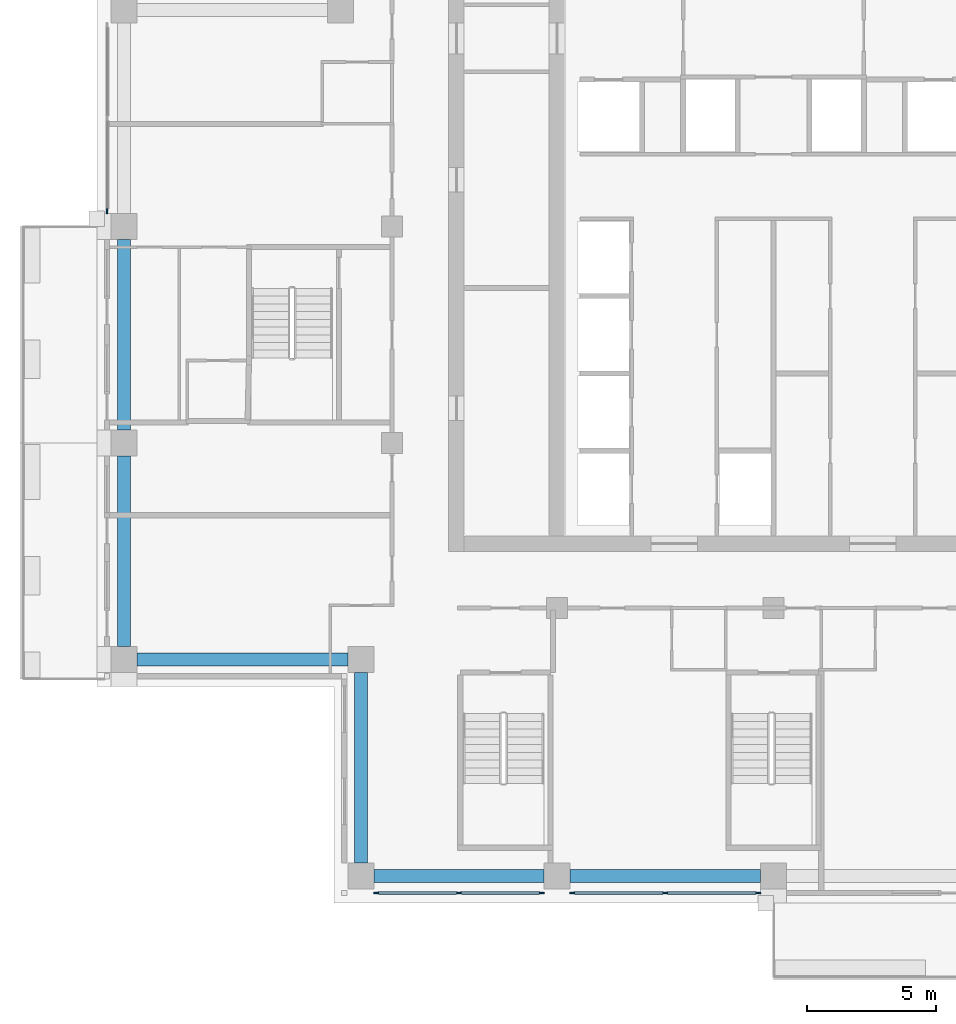
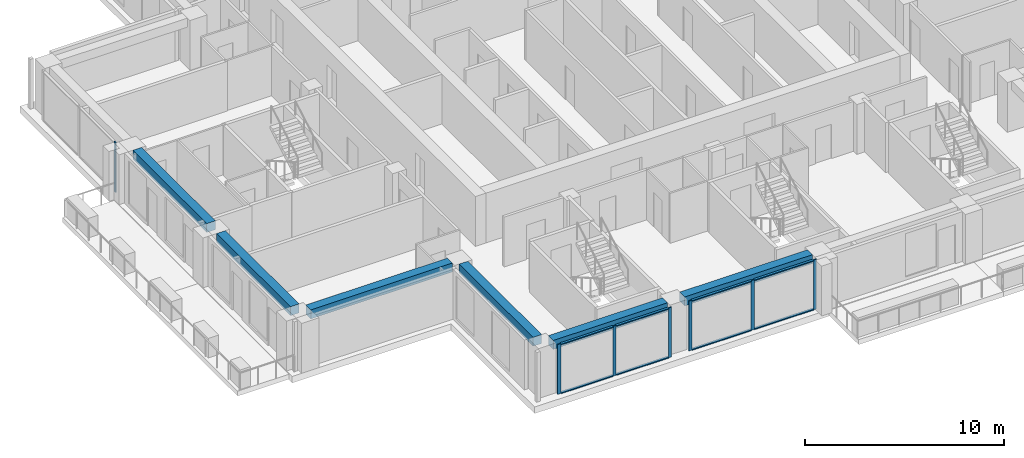
# One storey, part 2 of 17: 15 members, 6 beams, 3 elements without a shape of their own.
"""IFC4 building model written with IfcOpenShell, lengths in metres."""

from ifc_helpers import new_model, si_unit, direction, frame, origin, origin_2d, place, context, subcontext, project, spatial, rectangle, extrude, material, material_profile, profile_set, type_object, element, aggregate, save


model = new_model("IFC4")

# Units and contexts
model_context = context("Model", 3, precision=1e-05, world=origin(), true_north=direction((0.0, 1.0)))
body_context = subcontext(model_context, "Body", "Model", "MODEL_VIEW")
ifc_project = project(units=[si_unit("LENGTHUNIT", "METRE"), si_unit("AREAUNIT", "SQUARE_METRE"), si_unit("VOLUMEUNIT", "CUBIC_METRE"), si_unit("PLANEANGLEUNIT", "RADIAN"), si_unit("MASSUNIT", "GRAM", prefix="KILO")], contexts=[model_context])

# Site, building, storey
site_placement = place(None, origin())
site = spatial("IfcSite", under=ifc_project, at=site_placement, CompositionType="ELEMENT")
building_placement = place(site_placement, origin())
building = spatial("IfcBuilding", under=site, at=building_placement, Name="Vermilion Ogive Tower", CompositionType="ELEMENT")
storey_placement = place(building_placement, frame((0.0, 0.0, 203.14990234375)))
storey = spatial("IfcBuildingStorey", under=building, at=storey_placement, Name="L53", CompositionType="ELEMENT", Elevation=203.14990234375)

# Curtain wall, members
ifc_material_1 = material(Name="Low-iron laminated glazing in aluminium frame", Category="aluminium")
curtain_wall_type = type_object("IfcCurtainWallType", Name="Curtain wall CW7", PredefinedType="NOTDEFINED", material=ifc_material_1)
curtain_wall_1_placement = place(storey_placement, origin())
curtain_wall_1 = element("IfcCurtainWall", 1, at=curtain_wall_1_placement, inside=storey, type_object=curtain_wall_type, Name="Glazed skin S1", PredefinedType="NOTDEFINED")
ifc_material_2 = material(Name="Aluminium mullion", Category="aluminium")
ifc_material_profile_1 = material_profile(ifc_material_2, rectangle(XDim=0.06005859375, YDim=0.179931640625, at=origin_2d()), Name="AL 60x180")
ifc_profile_set_1 = profile_set([ifc_material_profile_1], Name="Aluminium mullion")
member_type_1 = type_object("IfcMemberType", Name="CW7 mullion 60x180", PredefinedType="MULLION", material=ifc_profile_set_1)
member_1_placement = place(storey_placement, frame((-15.409912109375, -21.64990234375, 0.0), z_axis=(0.0, 0.0, 1.0), x_axis=(0.0, 1.0, 0.0)))
member_1 = element("IfcMember", 2, at=member_1_placement, type_object=member_type_1, Name="CW7-S1 mullion 1", PredefinedType="MULLION", context=body_context, shape_type="SweptSolid", body=[
    extrude(rectangle(XDim=0.06005859375, YDim=0.179931640625, at=origin_2d()), origin(), (0.0, 0.0, 1.0), 3.050048828125),
])
member_2_placement = place(storey_placement, frame((-12.199951171875, -21.64990234375, 0.0), z_axis=(0.0, 0.0, 1.0), x_axis=(0.0, 1.0, 0.0)))
member_2 = element("IfcMember", 3, at=member_2_placement, type_object=member_type_1, Name="CW7-S1 mullion 2", PredefinedType="MULLION", context=body_context, shape_type="SweptSolid", body=[
    extrude(rectangle(XDim=0.06005859375, YDim=0.179931640625, at=origin_2d()), origin(), (0.0, 0.0, 1.0), 3.050048828125),
])
member_3_placement = place(storey_placement, frame((-8.989990234375, -21.64990234375, 0.0), z_axis=(0.0, 0.0, 1.0), x_axis=(0.0, 1.0, 0.0)))
member_3 = element("IfcMember", 4, at=member_3_placement, type_object=member_type_1, Name="CW7-S1 mullion 3", PredefinedType="MULLION", context=body_context, shape_type="SweptSolid", body=[
    extrude(rectangle(XDim=0.06005859375, YDim=0.179931640625, at=origin_2d()), origin(), (0.0, 0.0, 1.0), 3.050048828125),
])

curtain_wall_2_placement = place(storey_placement, origin())
curtain_wall_2 = element("IfcCurtainWall", 5, at=curtain_wall_2_placement, inside=storey, type_object=curtain_wall_type, Name="Glazed skin S2", PredefinedType="NOTDEFINED")
member_4_placement = place(storey_placement, frame((-7.81005859375, -21.64990234375, 0.0), z_axis=(0.0, 0.0, 1.0), x_axis=(0.0, 1.0, 0.0)))
member_4 = element("IfcMember", 6, at=member_4_placement, type_object=member_type_1, Name="CW7-S2 mullion 1", PredefinedType="MULLION", context=body_context, shape_type="SweptSolid", body=[
    extrude(rectangle(XDim=0.06005859375, YDim=0.179931640625, at=origin_2d()), origin(), (0.0, 0.0, 1.0), 3.050048828125),
])
member_5_placement = place(storey_placement, frame((-4.199951171875, -21.64990234375, 0.0), z_axis=(0.0, 0.0, 1.0), x_axis=(0.0, 1.0, 0.0)))
member_5 = element("IfcMember", 7, at=member_5_placement, type_object=member_type_1, Name="CW7-S2 mullion 2", PredefinedType="MULLION", context=body_context, shape_type="SweptSolid", body=[
    extrude(rectangle(XDim=0.06005859375, YDim=0.179931640625, at=origin_2d()), origin(), (0.0, 0.0, 1.0), 3.050048828125),
])
member_6_placement = place(storey_placement, frame((-0.590087890625, -21.64990234375, 0.0), z_axis=(0.0, 0.0, 1.0), x_axis=(0.0, 1.0, 0.0)))
member_6 = element("IfcMember", 8, at=member_6_placement, type_object=member_type_1, Name="CW7-S2 mullion 3", PredefinedType="MULLION", context=body_context, shape_type="SweptSolid", body=[
    extrude(rectangle(XDim=0.06005859375, YDim=0.179931640625, at=origin_2d()), origin(), (0.0, 0.0, 1.0), 3.050048828125),
])

# Curtain wall, member
curtain_wall_3_placement = place(storey_placement, origin())
curtain_wall_3 = element("IfcCurtainWall", 9, at=curtain_wall_3_placement, inside=storey, type_object=curtain_wall_type, Name="Glazed skin W1", PredefinedType="NOTDEFINED")
member_7_placement = place(storey_placement, frame((-25.85009765625, 4.7900390625, 0.0), z_axis=(0.0, 0.0, 1.0), x_axis=(1.0, 0.0, 0.0)))
member_7 = element("IfcMember", 10, at=member_7_placement, type_object=member_type_1, Name="CW7-W1 mullion 3", PredefinedType="MULLION", context=body_context, shape_type="SweptSolid", body=[
    extrude(rectangle(XDim=0.06005859375, YDim=0.179931640625, at=origin_2d()), origin(), (0.0, 0.0, 1.0), 3.050048828125),
])
aggregate(curtain_wall_3, [member_7])

# Member
ifc_material_3 = material(Name="Aluminium transom", Category="aluminium")
ifc_material_profile_2 = material_profile(ifc_material_3, rectangle(XDim=0.139892578125, YDim=0.06005859375, at=origin_2d()), Name="AL 60x140")
ifc_profile_set_2 = profile_set([ifc_material_profile_2], Name="Aluminium transom")
member_type_2 = type_object("IfcMemberType", Name="CW7 transom 60x140", PredefinedType="USERDEFINED", material=ifc_profile_set_2)
member_8_placement = place(storey_placement, frame((-15.320068359375, -21.64990234375, 0.030029296875), z_axis=(1.0, 0.0, 0.0), x_axis=(0.0, 1.0, 0.0)))
member_8 = element("IfcMember", 11, at=member_8_placement, type_object=member_type_2, Name="CW7-S1 transom 1.1", ObjectType="TRANSOM", PredefinedType="USERDEFINED", context=body_context, shape_type="SweptSolid", body=[
    extrude(rectangle(XDim=0.139892578125, YDim=0.06005859375, at=origin_2d()), origin(), (0.0, 0.0, 1.0), 3.030029296875),
])

member_9_placement = place(storey_placement, frame((-15.320068359375, -21.64990234375, 3.02001953125), z_axis=(1.0, 0.0, 0.0), x_axis=(0.0, 1.0, 0.0)))
member_9 = element("IfcMember", 12, at=member_9_placement, type_object=member_type_2, Name="CW7-S1 transom 1.2", ObjectType="TRANSOM", PredefinedType="USERDEFINED", context=body_context, shape_type="SweptSolid", body=[
    extrude(rectangle(XDim=0.139892578125, YDim=0.06005859375, at=origin_2d()), origin(), (0.0, 0.0, 1.0), 3.030029296875),
])

member_10_placement = place(storey_placement, frame((-12.110107421875, -21.64990234375, 0.030029296875), z_axis=(1.0, 0.0, 0.0), x_axis=(0.0, 1.0, 0.0)))
member_10 = element("IfcMember", 13, at=member_10_placement, type_object=member_type_2, Name="CW7-S1 transom 2.1", ObjectType="TRANSOM", PredefinedType="USERDEFINED", context=body_context, shape_type="SweptSolid", body=[
    extrude(rectangle(XDim=0.139892578125, YDim=0.06005859375, at=origin_2d()), origin(), (0.0, 0.0, 1.0), 3.030029296875),
])

member_11_placement = place(storey_placement, frame((-12.110107421875, -21.64990234375, 3.02001953125), z_axis=(1.0, 0.0, 0.0), x_axis=(0.0, 1.0, 0.0)))
member_11 = element("IfcMember", 14, at=member_11_placement, type_object=member_type_2, Name="CW7-S1 transom 2.2", ObjectType="TRANSOM", PredefinedType="USERDEFINED", context=body_context, shape_type="SweptSolid", body=[
    extrude(rectangle(XDim=0.139892578125, YDim=0.06005859375, at=origin_2d()), origin(), (0.0, 0.0, 1.0), 3.030029296875),
])

aggregate(curtain_wall_1, [member_1, member_2, member_3, member_8, member_9, member_10, member_11])

member_12_placement = place(storey_placement, frame((-7.719970703125, -21.64990234375, 0.030029296875), z_axis=(1.0, 0.0, 0.0), x_axis=(0.0, 1.0, 0.0)))
member_12 = element("IfcMember", 15, at=member_12_placement, type_object=member_type_2, Name="CW7-S2 transom 1.1", ObjectType="TRANSOM", PredefinedType="USERDEFINED", context=body_context, shape_type="SweptSolid", body=[
    extrude(rectangle(XDim=0.139892578125, YDim=0.06005859375, at=origin_2d()), origin(), (0.0, 0.0, 1.0), 3.429931640625),
])

member_13_placement = place(storey_placement, frame((-7.719970703125, -21.64990234375, 3.02001953125), z_axis=(1.0, 0.0, 0.0), x_axis=(0.0, 1.0, 0.0)))
member_13 = element("IfcMember", 16, at=member_13_placement, type_object=member_type_2, Name="CW7-S2 transom 1.2", ObjectType="TRANSOM", PredefinedType="USERDEFINED", context=body_context, shape_type="SweptSolid", body=[
    extrude(rectangle(XDim=0.139892578125, YDim=0.06005859375, at=origin_2d()), origin(), (0.0, 0.0, 1.0), 3.429931640625),
])

member_14_placement = place(storey_placement, frame((-4.110107421875, -21.64990234375, 0.030029296875), z_axis=(1.0, 0.0, 0.0), x_axis=(0.0, 1.0, 0.0)))
member_14 = element("IfcMember", 17, at=member_14_placement, type_object=member_type_2, Name="CW7-S2 transom 2.1", ObjectType="TRANSOM", PredefinedType="USERDEFINED", context=body_context, shape_type="SweptSolid", body=[
    extrude(rectangle(XDim=0.139892578125, YDim=0.06005859375, at=origin_2d()), origin(), (0.0, 0.0, 1.0), 3.43017578125),
])

member_15_placement = place(storey_placement, frame((-4.110107421875, -21.64990234375, 3.02001953125), z_axis=(1.0, 0.0, 0.0), x_axis=(0.0, 1.0, 0.0)))
member_15 = element("IfcMember", 18, at=member_15_placement, type_object=member_type_2, Name="CW7-S2 transom 2.2", ObjectType="TRANSOM", PredefinedType="USERDEFINED", context=body_context, shape_type="SweptSolid", body=[
    extrude(rectangle(XDim=0.139892578125, YDim=0.06005859375, at=origin_2d()), origin(), (0.0, 0.0, 1.0), 3.43017578125),
])

aggregate(curtain_wall_2, [member_4, member_5, member_6, member_12, member_13, member_14, member_15])

# Beams
ifc_material_4 = material(Name="Concrete B45", Category="concrete")
ifc_material_profile_3 = material_profile(ifc_material_4, rectangle(XDim=0.5, YDim=0.550048828125, at=origin_2d()), Name="500 x 550")
ifc_profile_set_3 = profile_set([ifc_material_profile_3], Name="Concrete B45")
beam_type = type_object("IfcBeamType", Name="Edge beam 500 x 550 B45", PredefinedType="BEAM", material=ifc_profile_set_3)
beam_1_placement = place(storey_placement, frame((-15.5, -21.0, 2.775146484375), z_axis=(1.0, 0.0, 0.0), x_axis=(0.0, 1.0, 0.0)))
element("IfcBeam", 19, at=beam_1_placement, inside=storey, type_object=beam_type, Name="L53-EB-1", PredefinedType="BEAM", context=body_context, shape_type="SweptSolid", body=[
    extrude(rectangle(XDim=0.5, YDim=0.550048828125, at=origin_2d()), origin(), (0.0, 0.0, 1.0), 6.60009765625),
])
for number, where, z_axis, x_axis, name in (
    (20, (-7.89990234375, -21.0, 2.775146484375), (1.0, 0.0, 0.0), (0.0, 1.0, 0.0), "L53-EB-2"),
    (21, (-25.199951171875, 3.699951171875, 2.775146484375), (0.0, -1.0, 0.0), (1.0, 0.0, 0.0), "L53-EB-15"),
):
    element("IfcBeam", number, at=place(storey_placement, frame(where, z_axis=z_axis, x_axis=x_axis)), inside=storey, type_object=beam_type, Name=name, PredefinedType="BEAM", context=body_context, shape_type="SweptSolid", body=[
        extrude(rectangle(XDim=0.5, YDim=0.550048828125, at=origin_2d()), origin(), (0.0, 0.0, 1.0), 7.39990234375),
    ])
beam_2_placement = place(storey_placement, frame((-25.199951171875, -4.699951171875, 2.775146484375), z_axis=(0.0, -1.0, 0.0), x_axis=(1.0, 0.0, 0.0)))
element("IfcBeam", 22, at=beam_2_placement, inside=storey, type_object=beam_type, Name="L53-EB-16", PredefinedType="BEAM", context=body_context, shape_type="SweptSolid", body=[
    extrude(rectangle(XDim=0.5, YDim=0.550048828125, at=origin_2d()), origin(), (0.0, 0.0, 1.0), 7.400146484375),
])
beam_3_placement = place(storey_placement, frame((-24.699951171875, -12.60009765625, 2.775146484375), z_axis=(1.0, 0.0, 0.0), x_axis=(0.0, 1.0, 0.0)))
element("IfcBeam", 23, at=beam_3_placement, inside=storey, type_object=beam_type, Name="L53-EB-17", PredefinedType="BEAM", context=body_context, shape_type="SweptSolid", body=[
    extrude(rectangle(XDim=0.5, YDim=0.550048828125, at=origin_2d()), origin(), (0.0, 0.0, 1.0), 8.199951171875),
])
beam_4_placement = place(storey_placement, frame((-16.0, -13.10009765625, 2.775146484375), z_axis=(0.0, -1.0, 0.0), x_axis=(1.0, 0.0, 0.0)))
element("IfcBeam", 24, at=beam_4_placement, inside=storey, type_object=beam_type, Name="L53-EB-18", PredefinedType="BEAM", context=body_context, shape_type="SweptSolid", body=[
    extrude(rectangle(XDim=0.5, YDim=0.550048828125, at=origin_2d()), origin(), (0.0, 0.0, 1.0), 7.39990234375),
])

save(model, "model.ifc")
